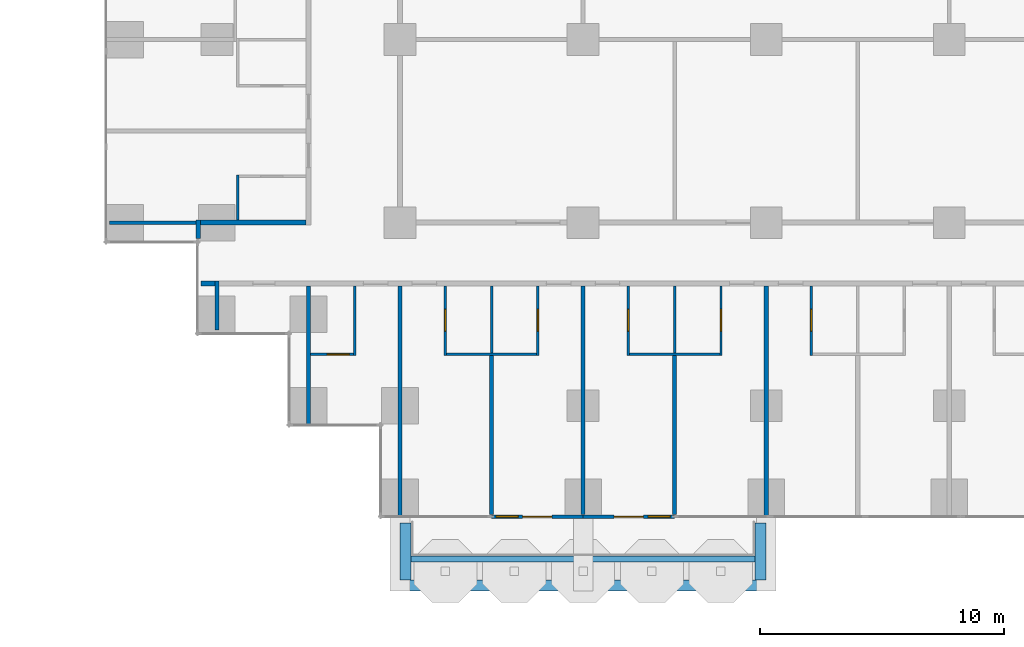
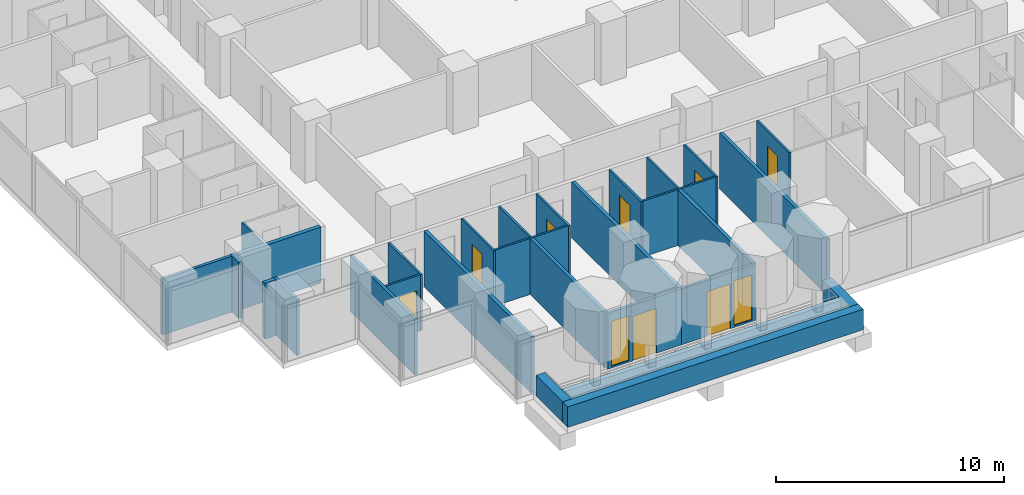
# One storey, part 10 of 19: 29 walls, 8 doors, 2 windows, 10 openings.
"""IFC4 building model written with IfcOpenShell, lengths in metres."""

from ifc_helpers import new_model, si_unit, direction, frame, frame_2d, origin, place, context, subcontext, project, spatial, rectangle, extrude, material, layer, layer_set, type_object, element, fill, save


model = new_model("IFC4")

# Units and contexts
model_context = context("Model", 3, precision=1e-05, world=origin(), true_north=direction((0.0, 1.0)))
body_context = subcontext(model_context, "Body", "Model", "MODEL_VIEW")
ifc_project = project(units=[si_unit("LENGTHUNIT", "METRE"), si_unit("AREAUNIT", "SQUARE_METRE"), si_unit("VOLUMEUNIT", "CUBIC_METRE"), si_unit("PLANEANGLEUNIT", "RADIAN"), si_unit("MASSUNIT", "GRAM", prefix="KILO")], contexts=[model_context])

# Site, building, storey
site_placement = place(None, origin())
site = spatial("IfcSite", under=ifc_project, at=site_placement, CompositionType="ELEMENT")
building_placement = place(site_placement, origin())
building = spatial("IfcBuilding", under=site, at=building_placement, Name="Pilkhan Gate Tower", CompositionType="ELEMENT")
storey_placement = place(building_placement, frame((0.0, 0.0, 69.199951171875)))
storey = spatial("IfcBuildingStorey", under=building, at=storey_placement, Name="L15", CompositionType="ELEMENT", Elevation=69.199951171875)

# Walls
ifc_material_1 = material(Name="Dense blockwork", Category="masonry")
ifc_layer_1 = layer(ifc_material_1, 0.175048828125)
ifc_layer_set_1 = layer_set([ifc_layer_1], Name="Acoustic party wall PW175")
wall_type_1 = type_object("IfcWallType", Name="Acoustic party wall PW175", PredefinedType="PARTITIONING", material=ifc_layer_set_1)
wall_1_placement = place(storey_placement, frame((60.0, 40.485107421875, 0.0), z_axis=(0.0, 0.0, 1.0), x_axis=(0.0, 1.0, 0.0)))
element("IfcWall", 1, at=wall_1_placement, inside=storey, type_object=wall_type_1, Name="Partition L15", PredefinedType="PARTITIONING", context=body_context, shape_type="SweptSolid", body=[
    extrude(rectangle(XDim=9.414794921875, YDim=0.175048828125, at=frame_2d((4.70751953125, 0.0))), origin(), (0.0, 0.0, 1.0), 3.0),
])
wall_2_placement = place(storey_placement, frame((63.75, 40.5400390625, 0.0), z_axis=(0.0, 0.0, 1.0), x_axis=(0.0, 1.0, 0.0)))
element("IfcWall", 2, at=wall_2_placement, inside=storey, type_object=wall_type_1, Name="Partition L15", PredefinedType="PARTITIONING", context=body_context, shape_type="SweptSolid", body=[
    extrude(rectangle(XDim=6.510009765625, YDim=0.175048828125, at=frame_2d((3.2548828125, 0.0))), origin(), (0.0, 0.0, 1.0), 3.0),
])
wall_3_placement = place(storey_placement, frame((67.5, 40.5400390625, 0.0), z_axis=(0.0, 0.0, 1.0), x_axis=(0.0, 1.0, 0.0)))
element("IfcWall", 3, at=wall_3_placement, inside=storey, type_object=wall_type_1, Name="Partition L15", PredefinedType="PARTITIONING", context=body_context, shape_type="SweptSolid", body=[
    extrude(rectangle(XDim=9.35986328125, YDim=0.175048828125, at=frame_2d((4.679931640625, 0.0))), origin(), (0.0, 0.0, 1.0), 3.0),
])
wall_4_placement = place(storey_placement, frame((71.25, 40.5400390625, 0.0), z_axis=(0.0, 0.0, 1.0), x_axis=(0.0, 1.0, 0.0)))
element("IfcWall", 4, at=wall_4_placement, inside=storey, type_object=wall_type_1, Name="Partition L15", PredefinedType="PARTITIONING", context=body_context, shape_type="SweptSolid", body=[
    extrude(rectangle(XDim=6.510009765625, YDim=0.175048828125, at=frame_2d((3.2548828125, 0.0))), origin(), (0.0, 0.0, 1.0), 3.0),
])
wall_5_placement = place(storey_placement, frame((75.0, 40.485107421875, 0.0), z_axis=(0.0, 0.0, 1.0), x_axis=(0.0, 1.0, 0.0)))
element("IfcWall", 5, at=wall_5_placement, inside=storey, type_object=wall_type_1, Name="Partition L15", PredefinedType="PARTITIONING", context=body_context, shape_type="SweptSolid", body=[
    extrude(rectangle(XDim=9.414794921875, YDim=0.175048828125, at=frame_2d((4.70751953125, 0.0))), origin(), (0.0, 0.0, 1.0), 3.0),
])
ifc_material_2 = material(Name="Concrete C40/50", Category="concrete")
ifc_layer_2 = layer(ifc_material_2, 0.25)
ifc_layer_set_2 = layer_set([ifc_layer_2], Name="Balcony planter BP250")
wall_type_2 = type_object("IfcWallType", Name="Balcony planter BP250", PredefinedType="USERDEFINED", material=ifc_layer_set_2)
wall_6_placement = place(storey_placement, frame((60.449951171875, 38.72509765625, 0.0), z_axis=(0.0, 0.0, 1.0), x_axis=(1.0, 0.0, 0.0)))
element("IfcWall", 6, at=wall_6_placement, inside=storey, type_object=wall_type_2, Name="Balcony planter L15 S", ObjectType="BALCONY PLANTER", PredefinedType="USERDEFINED", context=body_context, shape_type="SweptSolid", body=[
    extrude(rectangle(XDim=14.10009765625, YDim=0.25, at=frame_2d((7.050048828125, 0.0))), origin(), (0.0, 0.0, 1.0), 1.0),
])
ifc_material_3 = material(Name="Board-marked Concrete C40/50", Category="concrete")
ifc_layer_3 = layer(ifc_material_3, 0.449951171875)
ifc_layer_set_3 = layer_set([ifc_layer_3], Name="Balcony planter lip BL450")
wall_type_3 = type_object("IfcWallType", Name="Balcony planter lip BL450", PredefinedType="USERDEFINED", material=ifc_layer_set_3)
wall_7_placement = place(storey_placement, frame((60.0, 37.625, 0.0), z_axis=(0.0, 0.0, 1.0), x_axis=(1.0, 0.0, 0.0)))
element("IfcWall", 7, at=wall_7_placement, inside=storey, type_object=wall_type_3, Name="Balcony planter L15 S", ObjectType="BALCONY PLANTER", PredefinedType="USERDEFINED", context=body_context, shape_type="SweptSolid", body=[
    extrude(rectangle(XDim=15.0, YDim=0.449951171875, at=frame_2d((7.5, 0.0))), origin(), (0.0, 0.0, 1.0), 1.10009765625),
])
for number, where, z_axis, x_axis, name in (
    (8, (60.22509765625, 40.199951171875, 0.0), (0.0, 0.0, 1.0), (0.0, -1.0, 0.0), "Balcony planter L15 S"),
    (9, (74.77490234375, 40.199951171875, 0.0), (0.0, 0.0, 1.0), (0.0, -1.0, 0.0), "Balcony planter L15 S"),
):
    element("IfcWall", number, at=place(storey_placement, frame(where, z_axis=z_axis, x_axis=x_axis)), inside=storey, type_object=wall_type_3, Name=name, ObjectType="BALCONY PLANTER", PredefinedType="USERDEFINED", context=body_context, shape_type="SweptSolid", body=[
        extrude(rectangle(XDim=2.349853515625, YDim=0.449951171875, at=frame_2d((1.1748046875, 0.0))), origin(), (0.0, 0.0, 1.0), 1.10009765625),
    ])
ifc_layer_4 = layer(ifc_material_1, 0.199951171875)
ifc_layer_set_4 = layer_set([ifc_layer_4], Name="Corridor wall FW200")
wall_type_4 = type_object("IfcWallType", Name="Corridor wall FW200", PredefinedType="PARTITIONING", material=ifc_layer_set_4)
wall_8_placement = place(storey_placement, frame((51.85498046875, 50.0, 0.0), z_axis=(0.0, 0.0, 1.0), x_axis=(1.0, 0.0, 0.0)))
element("IfcWall", 10, at=wall_8_placement, inside=storey, type_object=wall_type_4, Name="Partition L15", PredefinedType="PARTITIONING", context=body_context, shape_type="SweptSolid", body=[
    extrude(rectangle(XDim=0.570068359375, YDim=0.199951171875, at=frame_2d((0.28515625, 0.0))), origin(), (0.0, 0.0, 1.0), 3.0),
])
wall_9_placement = place(storey_placement, frame((51.8349609375, 52.5, 0.0), z_axis=(0.0, 0.0, 1.0), x_axis=(1.0, 0.0, 0.0)))
element("IfcWall", 11, at=wall_9_placement, inside=storey, type_object=wall_type_4, Name="Partition L15", PredefinedType="PARTITIONING", context=body_context, shape_type="SweptSolid", body=[
    extrude(rectangle(XDim=4.31494140625, YDim=0.199951171875, at=frame_2d((2.157470703125, 0.0))), origin(), (0.0, 0.0, 1.0), 3.0),
])
wall_10_placement = place(storey_placement, frame((51.735107421875, 51.85498046875, 0.0), z_axis=(0.0, 0.0, 1.0), x_axis=(0.0, 1.0, 0.0)))
element("IfcWall", 12, at=wall_10_placement, inside=storey, type_object=wall_type_4, Name="Partition L15", PredefinedType="PARTITIONING", context=body_context, shape_type="SweptSolid", body=[
    extrude(rectangle(XDim=0.7451171875, YDim=0.199951171875, at=frame_2d((0.37255859375, 0.0))), origin(), (0.0, 0.0, 1.0), 3.0),
])

# Wall, openings, door, window
ifc_material_4 = material(Name="Pale anodised aluminium, clear laminated glazing", Category="aluminium")
ifc_layer_5 = layer(ifc_material_4, 0.14990234375)
ifc_layer_set_5 = layer_set([ifc_layer_5], Name="Facade infill wall IW150")
wall_type_5 = type_object("IfcWallType", Name="Facade infill wall IW150", PredefinedType="SOLIDWALL", material=ifc_layer_set_5)
wall_11_placement = place(storey_placement, frame((63.75, 40.455078125, 0.0), z_axis=(0.0, 0.0, 1.0), x_axis=(1.0, 0.0, 0.0)))
wall_11 = element("IfcWall", 13, at=wall_11_placement, inside=storey, type_object=wall_type_5, Name="Infill wall L15 S", PredefinedType="SOLIDWALL", context=body_context, shape_type="SweptSolid", body=[
    extrude(rectangle(XDim=3.75, YDim=0.14990234375, at=frame_2d((1.875, 0.0))), origin(), (0.0, 0.0, 1.0), 3.0),
])
opening_1_placement = place(wall_11_placement, frame((0.1875, 0.0, 0.10009765625)))
opening_1 = element("IfcOpeningElement", 14, at=opening_1_placement, cuts=wall_11, Name="Opening W1", PredefinedType="OPENING", context=body_context, shape_type="SweptSolid", body=[
    extrude(rectangle(XDim=0.89990234375, YDim=2.39990234375, at=frame_2d((0.449951171875, 1.199951171875))), frame((0.0, 0.0849609375, 0.0), z_axis=(0.0, -1.0, 0.0), x_axis=(1.0, 0.0, 0.0)), (0.0, 0.0, 1.0), 0.169921875),
])
opening_2_placement = place(wall_11_placement, frame((1.27490234375, 0.0, 0.0)))
opening_2 = element("IfcOpeningElement", 15, at=opening_2_placement, cuts=wall_11, Name="Opening D1", PredefinedType="OPENING", context=body_context, shape_type="SweptSolid", body=[
    extrude(rectangle(XDim=1.199951171875, YDim=2.39990234375, at=frame_2d((0.60009765625, 1.199951171875))), frame((0.0, 0.0849609375, 0.0), z_axis=(0.0, -1.0, 0.0), x_axis=(1.0, 0.0, 0.0)), (0.0, 0.0, 1.0), 0.169921875),
])
ifc_material_5 = material(Name="Pale anodised aluminium, clear glazing", Category="aluminium")
door_type_1 = type_object("IfcDoorType", Name="Balcony door D1 1200x2400", OperationType="SINGLE_SWING_LEFT", PredefinedType="DOOR", material=ifc_material_5)
door_1_placement = place(opening_2_placement, origin())
door_1 = element("IfcDoor", 16, at=door_1_placement, inside=storey, type_object=door_type_1, Name="Balcony door L15", OperationType="SINGLE_SWING_LEFT", OverallHeight=2.39990234375, OverallWidth=1.199951171875, PredefinedType="DOOR", context=body_context, shape_type="SweptSolid", body=[
    extrude(rectangle(XDim=1.199951171875, YDim=2.39990234375, at=frame_2d((0.60009765625, 1.199951171875))), frame((0.0, 0.02490234375, 0.0), z_axis=(0.0, -1.0, 0.0), x_axis=(1.0, 0.0, 0.0)), (0.0, 0.0, 1.0), 0.050048828125),
])
fill(opening_2, door_1)
ifc_material_6 = material(Name="Pale anodised aluminium, clear double glazing", Category="aluminium")
window_type = type_object("IfcWindowType", Name="Window W1 900x2400", PartitioningType="SINGLE_PANEL", PredefinedType="WINDOW", material=ifc_material_6)
window_1_placement = place(opening_1_placement, origin())
window_1 = element("IfcWindow", 17, at=window_1_placement, inside=storey, type_object=window_type, Name="Window L15", OverallHeight=2.39990234375, OverallWidth=0.89990234375, PartitioningType="SINGLE_PANEL", PredefinedType="WINDOW", context=body_context, shape_type="SweptSolid", body=[
    extrude(rectangle(XDim=0.89990234375, YDim=2.39990234375, at=frame_2d((0.449951171875, 1.199951171875))), frame((0.0, 0.030029296875, 0.0), z_axis=(0.0, -1.0, 0.0), x_axis=(1.0, 0.0, 0.0)), (0.0, 0.0, 1.0), 0.06005859375),
])
fill(opening_1, window_1)

wall_12_placement = place(storey_placement, frame((67.5, 40.455078125, 0.0), z_axis=(0.0, 0.0, 1.0), x_axis=(1.0, 0.0, 0.0)))
wall_12 = element("IfcWall", 18, at=wall_12_placement, inside=storey, type_object=wall_type_5, Name="Infill wall L15 S", PredefinedType="SOLIDWALL", context=body_context, shape_type="SweptSolid", body=[
    extrude(rectangle(XDim=3.75, YDim=0.14990234375, at=frame_2d((1.875, 0.0))), origin(), (0.0, 0.0, 1.0), 3.0),
])
opening_3_placement = place(wall_12_placement, frame((1.27490234375, 0.0, 0.0)))
opening_3 = element("IfcOpeningElement", 19, at=opening_3_placement, cuts=wall_12, Name="Opening D1", PredefinedType="OPENING", context=body_context, shape_type="SweptSolid", body=[
    extrude(rectangle(XDim=1.199951171875, YDim=2.39990234375, at=frame_2d((0.60009765625, 1.199951171875))), frame((0.0, 0.0849609375, 0.0), z_axis=(0.0, -1.0, 0.0), x_axis=(1.0, 0.0, 0.0)), (0.0, 0.0, 1.0), 0.169921875),
])
opening_4_placement = place(wall_12_placement, frame((2.66259765625, 0.0, 0.10009765625)))
opening_4 = element("IfcOpeningElement", 20, at=opening_4_placement, cuts=wall_12, Name="Opening W1", PredefinedType="OPENING", context=body_context, shape_type="SweptSolid", body=[
    extrude(rectangle(XDim=0.89990234375, YDim=2.39990234375, at=frame_2d((0.449951171875, 1.199951171875))), frame((0.0, 0.0849609375, 0.0), z_axis=(0.0, -1.0, 0.0), x_axis=(1.0, 0.0, 0.0)), (0.0, 0.0, 1.0), 0.169921875),
])
door_2_placement = place(opening_3_placement, origin())
door_2 = element("IfcDoor", 21, at=door_2_placement, inside=storey, type_object=door_type_1, Name="Balcony door L15", OperationType="SINGLE_SWING_LEFT", OverallHeight=2.39990234375, OverallWidth=1.199951171875, PredefinedType="DOOR", context=body_context, shape_type="SweptSolid", body=[
    extrude(rectangle(XDim=1.199951171875, YDim=2.39990234375, at=frame_2d((0.60009765625, 1.199951171875))), frame((0.0, 0.02490234375, 0.0), z_axis=(0.0, -1.0, 0.0), x_axis=(1.0, 0.0, 0.0)), (0.0, 0.0, 1.0), 0.050048828125),
])
fill(opening_3, door_2)
window_2_placement = place(opening_4_placement, origin())
window_2 = element("IfcWindow", 22, at=window_2_placement, inside=storey, type_object=window_type, Name="Window L15", OverallHeight=2.39990234375, OverallWidth=0.89990234375, PartitioningType="SINGLE_PANEL", PredefinedType="WINDOW", context=body_context, shape_type="SweptSolid", body=[
    extrude(rectangle(XDim=0.89990234375, YDim=2.39990234375, at=frame_2d((0.449951171875, 1.199951171875))), frame((0.0, 0.030029296875, 0.0), z_axis=(0.0, -1.0, 0.0), x_axis=(1.0, 0.0, 0.0)), (0.0, 0.0, 1.0), 0.06005859375),
])
fill(opening_4, window_2)

# Walls
ifc_material_7 = material(Name="Blockwork partition, plastered both sides", Category="masonry")
ifc_layer_6 = layer(ifc_material_7, 0.14990234375)
ifc_layer_set_6 = layer_set([ifc_layer_6], Name="Partition PW150")
wall_type_6 = type_object("IfcWallType", Name="Partition PW150", PredefinedType="PARTITIONING", material=ifc_layer_set_6)
wall_13_placement = place(storey_placement, frame((48.10498046875, 52.5, 0.0), z_axis=(0.0, 0.0, 1.0), x_axis=(1.0, 0.0, 0.0)))
element("IfcWall", 23, at=wall_13_placement, inside=storey, type_object=wall_type_6, Name="Partition L15", PredefinedType="PARTITIONING", context=body_context, shape_type="SweptSolid", body=[
    extrude(rectangle(XDim=3.530029296875, YDim=0.14990234375, at=frame_2d((1.76513671875, 0.0))), origin(), (0.0, 0.0, 1.0), 3.0),
])
wall_14_placement = place(storey_placement, frame((52.5, 48.10498046875, 0.0), z_axis=(0.0, 0.0, 1.0), x_axis=(0.0, 1.0, 0.0)))
element("IfcWall", 24, at=wall_14_placement, inside=storey, type_object=wall_type_6, Name="Partition L15", PredefinedType="PARTITIONING", context=body_context, shape_type="SweptSolid", body=[
    extrude(rectangle(XDim=1.9951171875, YDim=0.14990234375, at=frame_2d((0.99755859375, 0.0))), origin(), (0.0, 0.0, 1.0), 3.0),
])
wall_15_placement = place(storey_placement, frame((56.25, 44.235107421875, 0.0), z_axis=(0.0, 0.0, 1.0), x_axis=(0.0, 1.0, 0.0)))
element("IfcWall", 25, at=wall_15_placement, inside=storey, type_object=wall_type_6, Name="Partition L15", PredefinedType="PARTITIONING", context=body_context, shape_type="SweptSolid", body=[
    extrude(rectangle(XDim=5.664794921875, YDim=0.14990234375, at=frame_2d((2.83251953125, 0.0))), origin(), (0.0, 0.0, 1.0), 3.0),
])

# Wall, opening, door
ifc_material_8 = material(Name="Moisture resistant board, tiled")
ifc_layer_7 = layer(ifc_material_8, 0.10009765625)
ifc_layer_set_7 = layer_set([ifc_layer_7], Name="Wet wall PW100")
wall_type_7 = type_object("IfcWallType", Name="Wet wall PW100", PredefinedType="PARTITIONING", material=ifc_layer_set_7)
wall_16_placement = place(storey_placement, frame((56.324951171875, 47.10009765625, 0.0), z_axis=(0.0, 0.0, 1.0), x_axis=(1.0, 0.0, 0.0)))
wall_16 = element("IfcWall", 26, at=wall_16_placement, inside=storey, type_object=wall_type_7, Name="Partition L15", PredefinedType="PARTITIONING", context=body_context, shape_type="SweptSolid", body=[
    extrude(rectangle(XDim=1.775146484375, YDim=0.10009765625, at=frame_2d((0.8876953125, 0.0))), origin(), (0.0, 0.0, 1.0), 3.0),
])
opening_5_placement = place(wall_16_placement, frame((0.699951171875, 0.0, 0.0)))
opening_5 = element("IfcOpeningElement", 27, at=opening_5_placement, cuts=wall_16, Name="Opening L15-07", PredefinedType="OPENING", context=body_context, shape_type="SweptSolid", body=[
    extrude(rectangle(XDim=0.89990234375, YDim=2.199951171875, at=frame_2d((0.449951171875, 1.10009765625))), frame((0.0, 0.06005859375, 0.0), z_axis=(0.0, -1.0, 0.0), x_axis=(1.0, 0.0, 0.0)), (0.0, 0.0, 1.0), 0.1201171875),
])
ifc_material_9 = material(Name="Timber flush door", Category="wood")
door_type_2 = type_object("IfcDoorType", Name="Bathroom door D02 900x2200", OperationType="SINGLE_SWING_RIGHT", PredefinedType="DOOR", material=ifc_material_9)
door_3_placement = place(opening_5_placement, origin())
door_3 = element("IfcDoor", 28, at=door_3_placement, inside=storey, type_object=door_type_2, Name="Bathroom door", OperationType="SINGLE_SWING_RIGHT", OverallHeight=2.199951171875, OverallWidth=0.89990234375, PredefinedType="DOOR", context=body_context, shape_type="SweptSolid", body=[
    extrude(rectangle(XDim=0.89990234375, YDim=2.199951171875, at=frame_2d((0.449951171875, 1.10009765625))), frame((0.0, 0.02490234375, 0.0), z_axis=(0.0, -1.0, 0.0), x_axis=(1.0, 0.0, 0.0)), (0.0, 0.0, 1.0), 0.050048828125),
])
fill(opening_5, door_3)

# Walls
for number, where, z_axis, x_axis, name in (
    (29, (61.89990234375, 47.10009765625, 0.0), (0.0, 0.0, 1.0), (1.0, 0.0, 0.0), "Partition L15"),
    (30, (69.39990234375, 47.10009765625, 0.0), (0.0, 0.0, 1.0), (1.0, 0.0, 0.0), "Partition L15"),
):
    element("IfcWall", number, at=place(storey_placement, frame(where, z_axis=z_axis, x_axis=x_axis)), inside=storey, type_object=wall_type_7, Name=name, PredefinedType="PARTITIONING", context=body_context, shape_type="SweptSolid", body=[
        extrude(rectangle(XDim=3.7001953125, YDim=0.10009765625, at=frame_2d((1.85009765625, 0.0))), origin(), (0.0, 0.0, 1.0), 3.0),
    ])
wall_17_placement = place(storey_placement, frame((53.35009765625, 52.60009765625, 0.0), z_axis=(0.0, 0.0, 1.0), x_axis=(0.0, 1.0, 0.0)))
element("IfcWall", 31, at=wall_17_placement, inside=storey, type_object=wall_type_7, Name="Partition L15", PredefinedType="PARTITIONING", context=body_context, shape_type="SweptSolid", body=[
    extrude(rectangle(XDim=1.849853515625, YDim=0.10009765625, at=frame_2d((0.9248046875, 0.0))), origin(), (0.0, 0.0, 1.0), 3.0),
])
wall_18_placement = place(storey_placement, frame((58.14990234375, 47.050048828125, 0.0), z_axis=(0.0, 0.0, 1.0), x_axis=(0.0, 1.0, 0.0)))
element("IfcWall", 32, at=wall_18_placement, inside=storey, type_object=wall_type_7, Name="Partition L15", PredefinedType="PARTITIONING", context=body_context, shape_type="SweptSolid", body=[
    extrude(rectangle(XDim=2.849853515625, YDim=0.10009765625, at=frame_2d((1.4248046875, 0.0))), origin(), (0.0, 0.0, 1.0), 3.0),
])

# Wall, opening, door
wall_19_placement = place(storey_placement, frame((61.85009765625, 47.050048828125, 0.0), z_axis=(0.0, 0.0, 1.0), x_axis=(0.0, 1.0, 0.0)))
wall_19 = element("IfcWall", 33, at=wall_19_placement, inside=storey, type_object=wall_type_7, Name="Partition L15", PredefinedType="PARTITIONING", context=body_context, shape_type="SweptSolid", body=[
    extrude(rectangle(XDim=2.849853515625, YDim=0.10009765625, at=frame_2d((1.4248046875, 0.0))), origin(), (0.0, 0.0, 1.0), 3.0),
])
opening_6_placement = place(wall_19_placement, frame((1.0, 0.0, 0.0)))
opening_6 = element("IfcOpeningElement", 34, at=opening_6_placement, cuts=wall_19, Name="Opening L15-09", PredefinedType="OPENING", context=body_context, shape_type="SweptSolid", body=[
    extrude(rectangle(XDim=0.89990234375, YDim=2.199951171875, at=frame_2d((0.449951171875, 1.10009765625))), frame((0.0, 0.06005859375, 0.0), z_axis=(0.0, -1.0, 0.0), x_axis=(1.0, 0.0, 0.0)), (0.0, 0.0, 1.0), 0.1201171875),
])
door_4_placement = place(opening_6_placement, origin())
door_4 = element("IfcDoor", 35, at=door_4_placement, inside=storey, type_object=door_type_2, Name="Bathroom door", OperationType="SINGLE_SWING_RIGHT", OverallHeight=2.199951171875, OverallWidth=0.89990234375, PredefinedType="DOOR", context=body_context, shape_type="SweptSolid", body=[
    extrude(rectangle(XDim=0.89990234375, YDim=2.199951171875, at=frame_2d((0.449951171875, 1.10009765625))), frame((0.0, 0.02490234375, 0.0), z_axis=(0.0, -1.0, 0.0), x_axis=(1.0, 0.0, 0.0)), (0.0, 0.0, 1.0), 0.050048828125),
])
fill(opening_6, door_4)

# Wall
wall_20_placement = place(storey_placement, frame((63.75, 47.14990234375, 0.0), z_axis=(0.0, 0.0, 1.0), x_axis=(0.0, 1.0, 0.0)))
element("IfcWall", 36, at=wall_20_placement, inside=storey, type_object=wall_type_7, Name="Partition L15", PredefinedType="PARTITIONING", context=body_context, shape_type="SweptSolid", body=[
    extrude(rectangle(XDim=2.75, YDim=0.10009765625, at=frame_2d((1.375, 0.0))), origin(), (0.0, 0.0, 1.0), 3.0),
])

# Wall, opening, door
wall_21_placement = place(storey_placement, frame((65.64990234375, 47.050048828125, 0.0), z_axis=(0.0, 0.0, 1.0), x_axis=(0.0, 1.0, 0.0)))
wall_21 = element("IfcWall", 37, at=wall_21_placement, inside=storey, type_object=wall_type_7, Name="Partition L15", PredefinedType="PARTITIONING", context=body_context, shape_type="SweptSolid", body=[
    extrude(rectangle(XDim=2.849853515625, YDim=0.10009765625, at=frame_2d((1.4248046875, 0.0))), origin(), (0.0, 0.0, 1.0), 3.0),
])
opening_7_placement = place(wall_21_placement, frame((1.0, 0.0, 0.0)))
opening_7 = element("IfcOpeningElement", 38, at=opening_7_placement, cuts=wall_21, Name="Opening L15-11", PredefinedType="OPENING", context=body_context, shape_type="SweptSolid", body=[
    extrude(rectangle(XDim=0.89990234375, YDim=2.199951171875, at=frame_2d((0.449951171875, 1.10009765625))), frame((0.0, 0.06005859375, 0.0), z_axis=(0.0, -1.0, 0.0), x_axis=(1.0, 0.0, 0.0)), (0.0, 0.0, 1.0), 0.1201171875),
])
door_5_placement = place(opening_7_placement, origin())
door_5 = element("IfcDoor", 39, at=door_5_placement, inside=storey, type_object=door_type_2, Name="Bathroom door", OperationType="SINGLE_SWING_RIGHT", OverallHeight=2.199951171875, OverallWidth=0.89990234375, PredefinedType="DOOR", context=body_context, shape_type="SweptSolid", body=[
    extrude(rectangle(XDim=0.89990234375, YDim=2.199951171875, at=frame_2d((0.449951171875, 1.10009765625))), frame((0.0, 0.02490234375, 0.0), z_axis=(0.0, -1.0, 0.0), x_axis=(1.0, 0.0, 0.0)), (0.0, 0.0, 1.0), 0.050048828125),
])
fill(opening_7, door_5)

wall_22_placement = place(storey_placement, frame((69.35009765625, 47.050048828125, 0.0), z_axis=(0.0, 0.0, 1.0), x_axis=(0.0, 1.0, 0.0)))
wall_22 = element("IfcWall", 40, at=wall_22_placement, inside=storey, type_object=wall_type_7, Name="Partition L15", PredefinedType="PARTITIONING", context=body_context, shape_type="SweptSolid", body=[
    extrude(rectangle(XDim=2.849853515625, YDim=0.10009765625, at=frame_2d((1.4248046875, 0.0))), origin(), (0.0, 0.0, 1.0), 3.0),
])
opening_8_placement = place(wall_22_placement, frame((1.0, 0.0, 0.0)))
opening_8 = element("IfcOpeningElement", 41, at=opening_8_placement, cuts=wall_22, Name="Opening L15-13", PredefinedType="OPENING", context=body_context, shape_type="SweptSolid", body=[
    extrude(rectangle(XDim=0.89990234375, YDim=2.199951171875, at=frame_2d((0.449951171875, 1.10009765625))), frame((0.0, 0.06005859375, 0.0), z_axis=(0.0, -1.0, 0.0), x_axis=(1.0, 0.0, 0.0)), (0.0, 0.0, 1.0), 0.1201171875),
])
door_6_placement = place(opening_8_placement, origin())
door_6 = element("IfcDoor", 42, at=door_6_placement, inside=storey, type_object=door_type_2, Name="Bathroom door", OperationType="SINGLE_SWING_RIGHT", OverallHeight=2.199951171875, OverallWidth=0.89990234375, PredefinedType="DOOR", context=body_context, shape_type="SweptSolid", body=[
    extrude(rectangle(XDim=0.89990234375, YDim=2.199951171875, at=frame_2d((0.449951171875, 1.10009765625))), frame((0.0, 0.02490234375, 0.0), z_axis=(0.0, -1.0, 0.0), x_axis=(1.0, 0.0, 0.0)), (0.0, 0.0, 1.0), 0.050048828125),
])
fill(opening_8, door_6)

# Wall
wall_23_placement = place(storey_placement, frame((71.25, 47.14990234375, 0.0), z_axis=(0.0, 0.0, 1.0), x_axis=(0.0, 1.0, 0.0)))
element("IfcWall", 43, at=wall_23_placement, inside=storey, type_object=wall_type_7, Name="Partition L15", PredefinedType="PARTITIONING", context=body_context, shape_type="SweptSolid", body=[
    extrude(rectangle(XDim=2.75, YDim=0.10009765625, at=frame_2d((1.375, 0.0))), origin(), (0.0, 0.0, 1.0), 3.0),
])

# Wall, opening, door
wall_24_placement = place(storey_placement, frame((73.14990234375, 47.050048828125, 0.0), z_axis=(0.0, 0.0, 1.0), x_axis=(0.0, 1.0, 0.0)))
wall_24 = element("IfcWall", 44, at=wall_24_placement, inside=storey, type_object=wall_type_7, Name="Partition L15", PredefinedType="PARTITIONING", context=body_context, shape_type="SweptSolid", body=[
    extrude(rectangle(XDim=2.849853515625, YDim=0.10009765625, at=frame_2d((1.4248046875, 0.0))), origin(), (0.0, 0.0, 1.0), 3.0),
])
opening_9_placement = place(wall_24_placement, frame((1.0, 0.0, 0.0)))
opening_9 = element("IfcOpeningElement", 45, at=opening_9_placement, cuts=wall_24, Name="Opening L15-15", PredefinedType="OPENING", context=body_context, shape_type="SweptSolid", body=[
    extrude(rectangle(XDim=0.89990234375, YDim=2.199951171875, at=frame_2d((0.449951171875, 1.10009765625))), frame((0.0, 0.06005859375, 0.0), z_axis=(0.0, -1.0, 0.0), x_axis=(1.0, 0.0, 0.0)), (0.0, 0.0, 1.0), 0.1201171875),
])
door_7_placement = place(opening_9_placement, origin())
door_7 = element("IfcDoor", 46, at=door_7_placement, inside=storey, type_object=door_type_2, Name="Bathroom door", OperationType="SINGLE_SWING_RIGHT", OverallHeight=2.199951171875, OverallWidth=0.89990234375, PredefinedType="DOOR", context=body_context, shape_type="SweptSolid", body=[
    extrude(rectangle(XDim=0.89990234375, YDim=2.199951171875, at=frame_2d((0.449951171875, 1.10009765625))), frame((0.0, 0.02490234375, 0.0), z_axis=(0.0, -1.0, 0.0), x_axis=(1.0, 0.0, 0.0)), (0.0, 0.0, 1.0), 0.050048828125),
])
fill(opening_9, door_7)

wall_25_placement = place(storey_placement, frame((76.85009765625, 47.050048828125, 0.0), z_axis=(0.0, 0.0, 1.0), x_axis=(0.0, 1.0, 0.0)))
wall_25 = element("IfcWall", 47, at=wall_25_placement, inside=storey, type_object=wall_type_7, Name="Partition L15", PredefinedType="PARTITIONING", context=body_context, shape_type="SweptSolid", body=[
    extrude(rectangle(XDim=2.849853515625, YDim=0.10009765625, at=frame_2d((1.4248046875, 0.0))), origin(), (0.0, 0.0, 1.0), 3.0),
])
opening_10_placement = place(wall_25_placement, frame((1.0, 0.0, 0.0)))
opening_10 = element("IfcOpeningElement", 48, at=opening_10_placement, cuts=wall_25, Name="Opening L15-17", PredefinedType="OPENING", context=body_context, shape_type="SweptSolid", body=[
    extrude(rectangle(XDim=0.89990234375, YDim=2.199951171875, at=frame_2d((0.449951171875, 1.10009765625))), frame((0.0, 0.06005859375, 0.0), z_axis=(0.0, -1.0, 0.0), x_axis=(1.0, 0.0, 0.0)), (0.0, 0.0, 1.0), 0.1201171875),
])
door_8_placement = place(opening_10_placement, origin())
door_8 = element("IfcDoor", 49, at=door_8_placement, inside=storey, type_object=door_type_2, Name="Bathroom door", OperationType="SINGLE_SWING_RIGHT", OverallHeight=2.199951171875, OverallWidth=0.89990234375, PredefinedType="DOOR", context=body_context, shape_type="SweptSolid", body=[
    extrude(rectangle(XDim=0.89990234375, YDim=2.199951171875, at=frame_2d((0.449951171875, 1.10009765625))), frame((0.0, 0.02490234375, 0.0), z_axis=(0.0, -1.0, 0.0), x_axis=(1.0, 0.0, 0.0)), (0.0, 0.0, 1.0), 0.050048828125),
])
fill(opening_10, door_8)

save(model, "model.ifc")
